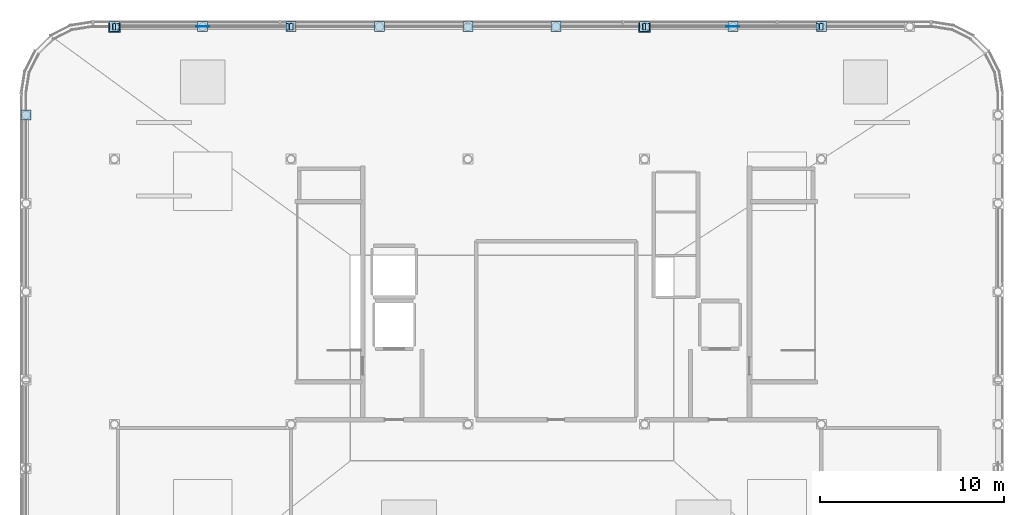
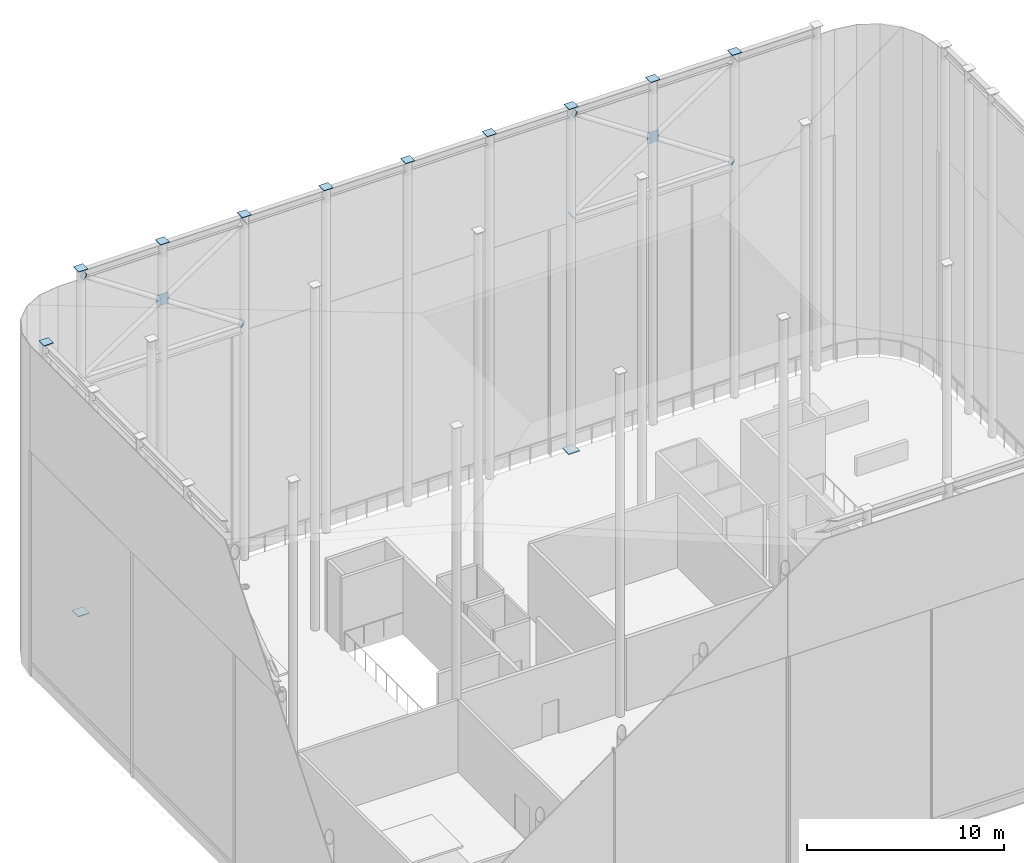
# One storey, part 39 of 42: 22 plates.
"""IFC4 building model written with IfcOpenShell, lengths in metres."""

from ifc_helpers import new_model, si_unit, direction, frame, origin, origin_2d, place, context, subcontext, project, spatial, polyline, rectangle, outline, extrude, material, layer, layer_set, type_object, element, save


model = new_model("IFC4")

# Units and contexts
model_context = context("Model", 3, precision=1e-05, world=origin(), true_north=direction((0.0, 1.0)))
body_context = subcontext(model_context, "Body", "Model", "MODEL_VIEW")
ifc_project = project(units=[si_unit("LENGTHUNIT", "METRE"), si_unit("AREAUNIT", "SQUARE_METRE"), si_unit("VOLUMEUNIT", "CUBIC_METRE"), si_unit("PLANEANGLEUNIT", "RADIAN"), si_unit("MASSUNIT", "GRAM", prefix="KILO")], contexts=[model_context])

# Site, building, storey
site_placement = place(None, origin())
site = spatial("IfcSite", under=ifc_project, at=site_placement, CompositionType="ELEMENT")
building_placement = place(site_placement, origin())
building = spatial("IfcBuilding", under=site, at=building_placement, Name="Kallvorn Hotel Tower", CompositionType="ELEMENT")
storey_placement = place(building_placement, frame((0.0, 0.0, 306.0)))
storey = spatial("IfcBuildingStorey", under=building, at=storey_placement, Name="ROOF", CompositionType="ELEMENT", Elevation=306.0)

# Plates
ifc_material_1 = material(Name="Structural steel S355JR", Category="steel")
ifc_layer_1 = layer(ifc_material_1, 0.044921875)
ifc_layer_set_1 = layer_set([ifc_layer_1], Name="PLT_BASE_45")
plate_type_1 = type_object("IfcPlateType", Name="PLT_BASE_45", PredefinedType="SHEET", material=ifc_layer_set_1)
for number, where, z_axis, x_axis, name in (
    (1, (-24.0, 14.39990234375, 0.0), (0.0, 0.0, 1.0), (1.0, 0.0, 0.0), "CROWN FRAME Column Baseplate CN1"),
    (2, (4.800048828125, 14.39990234375, 0.0), (0.0, 0.0, 1.0), (1.0, 0.0, 0.0), "CROWN FRAME Column Baseplate CN2"),
):
    element("IfcPlate", number, at=place(storey_placement, frame(where, z_axis=z_axis, x_axis=x_axis)), inside=storey, type_object=plate_type_1, Name=name, PredefinedType="SHEET", context=body_context, shape_type="SweptSolid", body=[
        extrude(rectangle(XDim=0.64990234375, YDim=0.64990234375, at=origin_2d()), origin(), (0.0, 0.0, 1.0), 0.044921875),
    ])
ifc_material_2 = material(Name="Structural steel S355JR", Category="steel")
ifc_layer_2 = layer(ifc_material_2, 0.030029296875)
ifc_layer_set_2 = layer_set([ifc_layer_2], Name="PLT_CAP_30")
plate_type_2 = type_object("IfcPlateType", Name="PLT_CAP_30", PredefinedType="SHEET", material=ifc_layer_set_2)
for number, where, z_axis, x_axis, name in (
    (3, (-28.800048828125, 9.60009765625, 21.35986328125), (0.0, 0.0, 1.0), (1.0, 0.0, 0.0), "CROWN FRAME Column Top Cap Plate 07"),
    (4, (-24.0, 14.39990234375, 21.35986328125), (0.0, 0.0, 1.0), (1.0, 0.0, 0.0), "CROWN FRAME Column Top Cap Plate 11"),
    (5, (-19.199951171875, 14.39990234375, 21.35986328125), (0.0, 0.0, 1.0), (1.0, 0.0, 0.0), "CROWN FRAME Column Top Cap Plate 13"),
    (6, (-14.39990234375, 14.39990234375, 21.35986328125), (0.0, 0.0, 1.0), (1.0, 0.0, 0.0), "CROWN FRAME Column Top Cap Plate 17"),
    (7, (-9.60009765625, 14.39990234375, 21.35986328125), (0.0, 0.0, 1.0), (1.0, 0.0, 0.0), "CROWN FRAME Column Top Cap Plate 19"),
    (8, (-4.800048828125, 14.39990234375, 21.35986328125), (0.0, 0.0, 1.0), (1.0, 0.0, 0.0), "CROWN FRAME Column Top Cap Plate 23"),
    (9, (0.0, 14.39990234375, 21.35986328125), (0.0, 0.0, 1.0), (1.0, 0.0, 0.0), "CROWN FRAME Column Top Cap Plate 25"),
    (10, (4.800048828125, 14.39990234375, 21.35986328125), (0.0, 0.0, 1.0), (1.0, 0.0, 0.0), "CROWN FRAME Column Top Cap Plate 29"),
    (11, (9.60009765625, 14.39990234375, 21.35986328125), (0.0, 0.0, 1.0), (1.0, 0.0, 0.0), "CROWN FRAME Column Top Cap Plate 31"),
    (12, (14.39990234375, 14.39990234375, 21.35986328125), (0.0, 0.0, 1.0), (1.0, 0.0, 0.0), "CROWN FRAME Column Top Cap Plate 35"),
):
    element("IfcPlate", number, at=place(storey_placement, frame(where, z_axis=z_axis, x_axis=x_axis)), inside=storey, type_object=plate_type_2, Name=name, PredefinedType="SHEET", context=body_context, shape_type="SweptSolid", body=[
        extrude(rectangle(XDim=0.5400390625, YDim=0.5400390625, at=origin_2d()), origin(), (0.0, 0.0, 1.0), 0.030029296875),
    ])
for number, where, z_axis, x_axis, name in (
    (13, (-23.885498046875, 14.223388671875, 14.414306640625), (0.832050294338, 0.0, 0.554700196225), (0.0, 1.0, 0.0), "CROWN-BR-CN1 End Cap Plate A"),
    (14, (-14.293701171875, 14.223388671875, 20.80859375), (0.832050294338, 0.0, 0.554700196225), (0.0, 1.0, 0.0), "CROWN-BR-CN1 End Cap Plate B"),
    (15, (-23.939697265625, 14.576416015625, 20.69775390625), (-0.832050294338, 0.0, 0.554700196225), (0.0, -1.0, 0.0), "CROWN-BR-CN1-H1 End Cap Plate A"),
    (16, (-14.680908203125, 14.576416015625, 14.525146484375), (-0.832050294338, 0.0, 0.554700196225), (0.0, -1.0, 0.0), "CROWN-BR-CN1-H2 End Cap Plate B"),
    (17, (4.91455078125, 14.223388671875, 14.414306640625), (0.832050294338, 0.0, 0.554700196225), (0.0, 1.0, 0.0), "CROWN-BR-CN2 End Cap Plate A"),
    (18, (14.50634765625, 14.223388671875, 20.80859375), (0.832050294338, 0.0, 0.554700196225), (0.0, 1.0, 0.0), "CROWN-BR-CN2 End Cap Plate B"),
    (19, (4.860107421875, 14.576416015625, 20.69775390625), (-0.832050294338, 0.0, 0.554700196225), (0.0, -1.0, 0.0), "CROWN-BR-CN2-H1 End Cap Plate A"),
    (20, (14.118896484375, 14.576416015625, 14.525146484375), (-0.832050294338, 0.0, 0.554700196225), (0.0, -1.0, 0.0), "CROWN-BR-CN2-H2 End Cap Plate B"),
):
    element("IfcPlate", number, at=place(storey_placement, frame(where, z_axis=z_axis, x_axis=x_axis)), inside=storey, type_object=plate_type_2, Name=name, PredefinedType="SHEET", context=body_context, shape_type="SweptSolid", body=[
        extrude(outline(polyline([(0.0, 0.0), (0.35302734375, 0.0), (0.35302734375, 0.3529848782863915), (0.0, 0.3529848782863915), (0.0, 0.0)])), origin(), (0.0, 0.0, -1.0), 0.030029296875),
    ])
ifc_material_3 = material(Name="Structural steel S355JR", Category="steel")
ifc_layer_3 = layer(ifc_material_3, 0.034912109375)
ifc_layer_set_3 = layer_set([ifc_layer_3], Name="PLT_GUSSET_35")
plate_type_3 = type_object("IfcPlateType", Name="PLT_GUSSET_35", PredefinedType="USERDEFINED", material=ifc_layer_set_3)
for number, where, z_axis, x_axis, name in (
    (21, (-19.199951171875, 14.39990234375, 17.39990234375), (0.0, 0.0, 1.0), (1.0, 0.0, 0.0), "CROWN FRAME X-Brace Crossing Gusset Node CN1"),
    (22, (9.60009765625, 14.39990234375, 17.39990234375), (0.0, 0.0, 1.0), (1.0, 0.0, 0.0), "CROWN FRAME X-Brace Crossing Gusset Node CN2"),
):
    element("IfcPlate", number, at=place(storey_placement, frame(where, z_axis=z_axis, x_axis=x_axis)), inside=storey, type_object=plate_type_3, Name=name, ObjectType="GUSSET PLATE", PredefinedType="USERDEFINED", context=body_context, shape_type="SweptSolid", body=[
        extrude(rectangle(XDim=0.699951171875, YDim=0.034912109375, at=origin_2d()), origin(), (0.0, 0.0, 1.0), 0.699951171875),
    ])

save(model, "model.ifc")
